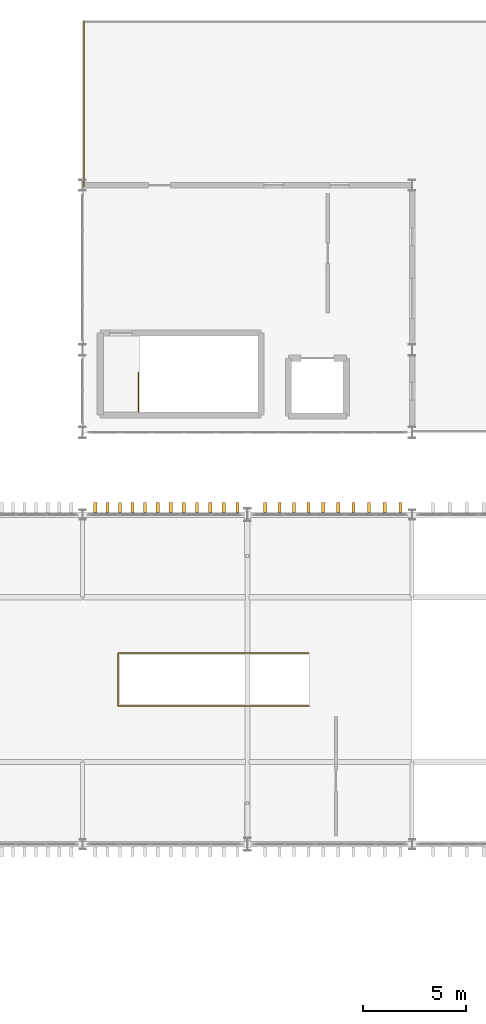
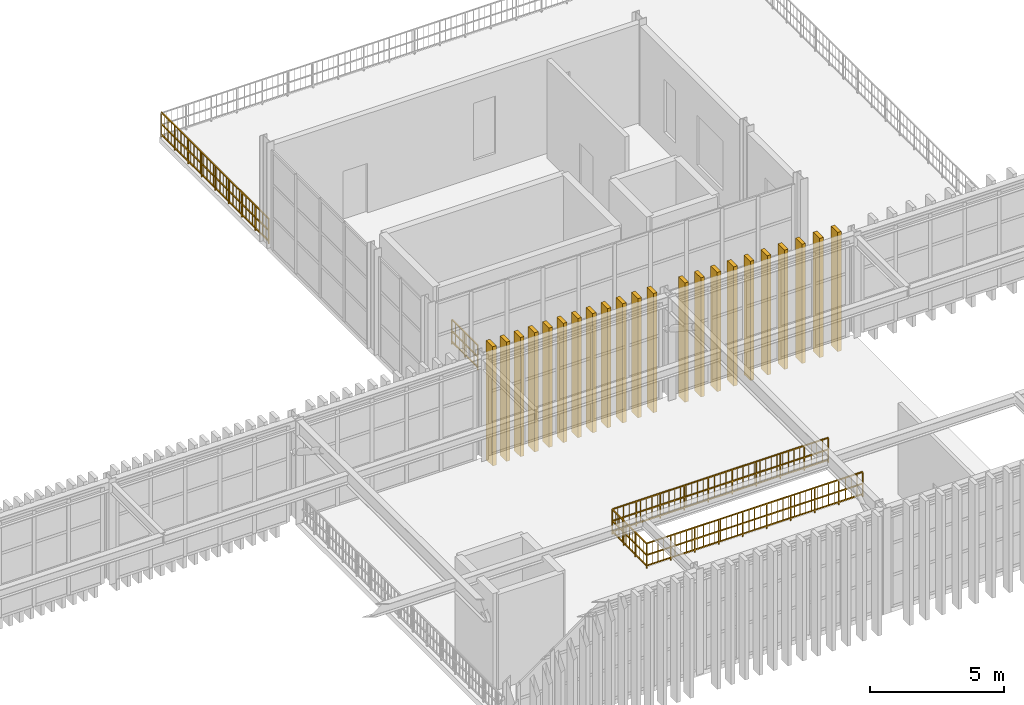
# One storey, part 58 of 61: 22 coverings, 3 railings.
"""IFC4 building model written with IfcOpenShell, lengths in metres."""

from ifc_helpers import new_model, si_unit, direction, frame, origin, origin_2d, place, context, subcontext, project, spatial, rectangle, extrude, material, layer, layer_set, type_object, element, save


model = new_model("IFC4")

# Units and contexts
model_context = context("Model", 3, precision=1e-05, world=origin(), true_north=direction((0.0, 1.0)))
body_context = subcontext(model_context, "Body", "Model", "MODEL_VIEW")
ifc_project = project(units=[si_unit("LENGTHUNIT", "METRE"), si_unit("AREAUNIT", "SQUARE_METRE"), si_unit("VOLUMEUNIT", "CUBIC_METRE"), si_unit("PLANEANGLEUNIT", "RADIAN"), si_unit("MASSUNIT", "GRAM", prefix="KILO")], contexts=[model_context])

# Site, building, storey
site_placement = place(None, origin())
site = spatial("IfcSite", under=ifc_project, at=site_placement, CompositionType="ELEMENT")
building_placement = place(site_placement, origin())
building = spatial("IfcBuilding", under=site, at=building_placement, Name="Serraluz Foothill Cableway Terminal", CompositionType="ELEMENT")
storey_placement = place(building_placement, frame((0.0, 0.0, 15.0)))
storey = spatial("IfcBuildingStorey", under=building, at=storey_placement, Name="L03", CompositionType="ELEMENT", Elevation=15.0)

# Coverings
ifc_material_1 = material(Name="Architectural bronze alloy C28000", Category="aluminium")
ifc_layer_1 = layer(ifc_material_1, 0.159912109375, Name="Architectural bronze alloy C28000", Category="aluminium")
ifc_layer_set_1 = layer_set([ifc_layer_1], Name="Architectural bronze alloy C28000")
covering_type = type_object("IfcCoveringType", Name="TYP-COV-SLAT-480", PredefinedType="CLADDING", material=ifc_layer_set_1)
for number, where, z_axis, x_axis, name in (
    (1, (80.6162109375, 72.360107421875, -0.64990234375), (0.0, 0.0, 1.0), (1.0, 0.0, 0.0), "Graduated Upper Vertical Facade Slat N-0216"),
    (2, (81.210205078125, 72.360107421875, -0.64990234375), (0.0, 0.0, 1.0), (1.0, 0.0, 0.0), "Graduated Upper Vertical Facade Slat N-0217"),
    (3, (81.81005859375, 72.360107421875, -0.64990234375), (0.0, 0.0, 1.0), (1.0, 0.0, 0.0), "Graduated Upper Vertical Facade Slat N-0218"),
    (4, (82.416259765625, 72.360107421875, -0.64990234375), (0.0, 0.0, 1.0), (1.0, 0.0, 0.0), "Graduated Upper Vertical Facade Slat N-0219"),
    (5, (83.02880859375, 72.360107421875, -0.64990234375), (0.0, 0.0, 1.0), (1.0, 0.0, 0.0), "Graduated Upper Vertical Facade Slat N-0220"),
    (6, (83.648193359375, 72.360107421875, -0.64990234375), (0.0, 0.0, 1.0), (1.0, 0.0, 0.0), "Graduated Upper Vertical Facade Slat N-0221"),
    (7, (84.2744140625, 72.360107421875, -0.64990234375), (0.0, 0.0, 1.0), (1.0, 0.0, 0.0), "Graduated Upper Vertical Facade Slat N-0222"),
    (8, (84.90771484375, 72.360107421875, -0.64990234375), (0.0, 0.0, 1.0), (1.0, 0.0, 0.0), "Graduated Upper Vertical Facade Slat N-0223"),
    (9, (85.548583984375, 72.360107421875, -0.64990234375), (0.0, 0.0, 1.0), (1.0, 0.0, 0.0), "Graduated Upper Vertical Facade Slat N-0224"),
    (10, (86.19677734375, 72.360107421875, -0.64990234375), (0.0, 0.0, 1.0), (1.0, 0.0, 0.0), "Graduated Upper Vertical Facade Slat N-0225"),
    (11, (86.852783203125, 72.360107421875, -0.64990234375), (0.0, 0.0, 1.0), (1.0, 0.0, 0.0), "Graduated Upper Vertical Facade Slat N-0226"),
    (12, (87.516845703125, 72.360107421875, -0.64990234375), (0.0, 0.0, 1.0), (1.0, 0.0, 0.0), "Graduated Upper Vertical Facade Slat N-0227"),
    (13, (88.8701171875, 72.360107421875, -0.64990234375), (0.0, 0.0, 1.0), (1.0, 0.0, 0.0), "Graduated Upper Vertical Facade Slat N-0228"),
    (14, (89.559814453125, 72.360107421875, -0.64990234375), (0.0, 0.0, 1.0), (1.0, 0.0, 0.0), "Graduated Upper Vertical Facade Slat N-0229"),
    (15, (90.2587890625, 72.360107421875, -0.64990234375), (0.0, 0.0, 1.0), (1.0, 0.0, 0.0), "Graduated Upper Vertical Facade Slat N-0230"),
    (16, (90.96728515625, 72.360107421875, -0.64990234375), (0.0, 0.0, 1.0), (1.0, 0.0, 0.0), "Graduated Upper Vertical Facade Slat N-0231"),
    (17, (91.685302734375, 72.360107421875, -0.64990234375), (0.0, 0.0, 1.0), (1.0, 0.0, 0.0), "Graduated Upper Vertical Facade Slat N-0232"),
    (18, (92.413330078125, 72.360107421875, -0.64990234375), (0.0, 0.0, 1.0), (1.0, 0.0, 0.0), "Graduated Upper Vertical Facade Slat N-0233"),
    (19, (93.15185546875, 72.360107421875, -0.64990234375), (0.0, 0.0, 1.0), (1.0, 0.0, 0.0), "Graduated Upper Vertical Facade Slat N-0234"),
    (20, (93.901123046875, 72.360107421875, -0.64990234375), (0.0, 0.0, 1.0), (1.0, 0.0, 0.0), "Graduated Upper Vertical Facade Slat N-0235"),
    (21, (94.66162109375, 72.360107421875, -0.64990234375), (0.0, 0.0, 1.0), (1.0, 0.0, 0.0), "Graduated Upper Vertical Facade Slat N-0236"),
    (22, (95.43359375, 72.360107421875, -0.64990234375), (0.0, 0.0, 1.0), (1.0, 0.0, 0.0), "Graduated Upper Vertical Facade Slat N-0237"),
):
    element("IfcCovering", number, at=place(storey_placement, frame(where, z_axis=z_axis, x_axis=x_axis)), inside=storey, type_object=covering_type, Name=name, PredefinedType="CLADDING", context=body_context, shape_type="SweptSolid", body=[
        extrude(rectangle(XDim=0.159912109375, YDim=0.47998046875, at=origin_2d()), origin(), (0.0, 0.0, 1.0), 5.419921875),
    ])

# Railings
ifc_material_2 = material(Name="Steel ASTM A572 Grade 50", Category="steel")
ifc_layer_2 = layer(ifc_material_2, 0.06005859375, Name="Steel ASTM A572 Grade 50", Category="steel")
ifc_layer_set_2 = layer_set([ifc_layer_2], Name="Steel ASTM A572 Grade 50")
railing_type_1 = type_object("IfcRailingType", Name="TYP-RL-BAL-1150", PredefinedType="BALUSTRADE", material=ifc_layer_set_2)
railing_1_placement = place(storey_placement, frame((80.07421875, 95.97021484375, 0.0)))
element("IfcRailing", 23, at=railing_1_placement, inside=storey, type_object=railing_type_1, Name="BALUSTRADE BAL-TER-L03-V4-4", PredefinedType="BALUSTRADE", context=body_context, shape_type="SweptSolid", body=[
    extrude(rectangle(XDim=0.048095703125, YDim=0.048095703125, at=origin_2d()), frame((0.0, 0.0, 1.1259765625), z_axis=(0.0, -1.0, 0.0), x_axis=(1.0, 0.0, 0.0)), (0.0, 0.0, 1.0), 8.0),
    extrude(rectangle(XDim=0.048095703125, YDim=0.048095703125, at=origin_2d()), frame((0.0, 0.0, 0.597900390625), z_axis=(0.0, -1.0, 0.0), x_axis=(1.0, 0.0, 0.0)), (0.0, 0.0, 1.0), 8.0),
    extrude(rectangle(XDim=0.048095703125, YDim=0.048095703125, at=origin_2d()), frame((0.0, 0.0, 0.1201171875), z_axis=(0.0, -1.0, 0.0), x_axis=(1.0, 0.0, 0.0)), (0.0, 0.0, 1.0), 8.0),
    extrude(rectangle(XDim=0.02001953125, YDim=0.02001953125, at=origin_2d()), frame((0.0, -0.242431640625, 0.1201171875)), (0.0, 0.0, 1.0), 0.981689453125),
    extrude(rectangle(XDim=0.02001953125, YDim=0.02001953125, at=origin_2d()), frame((0.0, -0.48486328125, 0.1201171875)), (0.0, 0.0, 1.0), 0.981689453125),
    extrude(rectangle(XDim=0.02001953125, YDim=0.02001953125, at=origin_2d()), frame((0.0, -0.727294921875, 0.1201171875)), (0.0, 0.0, 1.0), 0.981689453125),
    extrude(rectangle(XDim=0.02001953125, YDim=0.02001953125, at=origin_2d()), frame((0.0, -1.212158203125, 0.1201171875)), (0.0, 0.0, 1.0), 0.981689453125),
    extrude(rectangle(XDim=0.02001953125, YDim=0.02001953125, at=origin_2d()), frame((0.0, -1.45458984375, 0.1201171875)), (0.0, 0.0, 1.0), 0.981689453125),
    extrude(rectangle(XDim=0.02001953125, YDim=0.02001953125, at=origin_2d()), frame((0.0, -1.697021484375, 0.1201171875)), (0.0, 0.0, 1.0), 0.981689453125),
    extrude(rectangle(XDim=0.02001953125, YDim=0.02001953125, at=origin_2d()), frame((0.0, -1.939453125, 0.1201171875)), (0.0, 0.0, 1.0), 0.981689453125),
    extrude(rectangle(XDim=0.02001953125, YDim=0.02001953125, at=origin_2d()), frame((0.0, -2.181884765625, 0.1201171875)), (0.0, 0.0, 1.0), 0.981689453125),
    extrude(rectangle(XDim=0.02001953125, YDim=0.02001953125, at=origin_2d()), frame((0.0, -2.42431640625, 0.1201171875)), (0.0, 0.0, 1.0), 0.981689453125),
    extrude(rectangle(XDim=0.02001953125, YDim=0.02001953125, at=origin_2d()), frame((0.0, -2.666748046875, 0.1201171875)), (0.0, 0.0, 1.0), 0.981689453125),
    extrude(rectangle(XDim=0.02001953125, YDim=0.02001953125, at=origin_2d()), frame((0.0, -2.9091796875, 0.1201171875)), (0.0, 0.0, 1.0), 0.981689453125),
    extrude(rectangle(XDim=0.02001953125, YDim=0.02001953125, at=origin_2d()), frame((0.0, -3.151611328125, 0.1201171875)), (0.0, 0.0, 1.0), 0.981689453125),
    extrude(rectangle(XDim=0.02001953125, YDim=0.02001953125, at=origin_2d()), frame((0.0, -3.39404296875, 0.1201171875)), (0.0, 0.0, 1.0), 0.981689453125),
    extrude(rectangle(XDim=0.02001953125, YDim=0.02001953125, at=origin_2d()), frame((0.0, -3.636474609375, 0.1201171875)), (0.0, 0.0, 1.0), 0.981689453125),
    extrude(rectangle(XDim=0.02001953125, YDim=0.02001953125, at=origin_2d()), frame((0.0, -3.87890625, 0.1201171875)), (0.0, 0.0, 1.0), 0.981689453125),
    extrude(rectangle(XDim=0.02001953125, YDim=0.02001953125, at=origin_2d()), frame((0.0, -4.12109375, 0.1201171875)), (0.0, 0.0, 1.0), 0.981689453125),
    extrude(rectangle(XDim=0.02001953125, YDim=0.02001953125, at=origin_2d()), frame((0.0, -4.363525390625, 0.1201171875)), (0.0, 0.0, 1.0), 0.981689453125),
    extrude(rectangle(XDim=0.02001953125, YDim=0.02001953125, at=origin_2d()), frame((0.0, -4.60595703125, 0.1201171875)), (0.0, 0.0, 1.0), 0.981689453125),
    extrude(rectangle(XDim=0.02001953125, YDim=0.02001953125, at=origin_2d()), frame((0.0, -4.848388671875, 0.1201171875)), (0.0, 0.0, 1.0), 0.981689453125),
    extrude(rectangle(XDim=0.02001953125, YDim=0.02001953125, at=origin_2d()), frame((0.0, -5.0908203125, 0.1201171875)), (0.0, 0.0, 1.0), 0.981689453125),
    extrude(rectangle(XDim=0.02001953125, YDim=0.02001953125, at=origin_2d()), frame((0.0, -5.333251953125, 0.1201171875)), (0.0, 0.0, 1.0), 0.981689453125),
    extrude(rectangle(XDim=0.02001953125, YDim=0.02001953125, at=origin_2d()), frame((0.0, -5.57568359375, 0.1201171875)), (0.0, 0.0, 1.0), 0.981689453125),
    extrude(rectangle(XDim=0.02001953125, YDim=0.02001953125, at=origin_2d()), frame((0.0, -5.818115234375, 0.1201171875)), (0.0, 0.0, 1.0), 0.981689453125),
    extrude(rectangle(XDim=0.02001953125, YDim=0.02001953125, at=origin_2d()), frame((0.0, -6.060546875, 0.1201171875)), (0.0, 0.0, 1.0), 0.981689453125),
    extrude(rectangle(XDim=0.02001953125, YDim=0.02001953125, at=origin_2d()), frame((0.0, -6.302978515625, 0.1201171875)), (0.0, 0.0, 1.0), 0.981689453125),
    extrude(rectangle(XDim=0.02001953125, YDim=0.02001953125, at=origin_2d()), frame((0.0, -6.54541015625, 0.1201171875)), (0.0, 0.0, 1.0), 0.981689453125),
    extrude(rectangle(XDim=0.02001953125, YDim=0.02001953125, at=origin_2d()), frame((0.0, -6.787841796875, 0.1201171875)), (0.0, 0.0, 1.0), 0.981689453125),
    extrude(rectangle(XDim=0.02001953125, YDim=0.02001953125, at=origin_2d()), frame((0.0, -7.272705078125, 0.1201171875)), (0.0, 0.0, 1.0), 0.981689453125),
    extrude(rectangle(XDim=0.02001953125, YDim=0.02001953125, at=origin_2d()), frame((0.0, -7.51513671875, 0.1201171875)), (0.0, 0.0, 1.0), 0.981689453125),
    extrude(rectangle(XDim=0.02001953125, YDim=0.02001953125, at=origin_2d()), frame((0.0, -7.757568359375, 0.1201171875)), (0.0, 0.0, 1.0), 0.981689453125),
    extrude(rectangle(XDim=0.0439453125, YDim=0.0439453125, at=origin_2d()), origin(), (0.0, 0.0, 1.0), 1.101806640625),
    extrude(rectangle(XDim=0.0439453125, YDim=0.0439453125, at=origin_2d()), frame((0.0, -1.0, 0.0)), (0.0, 0.0, 1.0), 1.101806640625),
    extrude(rectangle(XDim=0.0439453125, YDim=0.0439453125, at=origin_2d()), frame((0.0, -2.0, 0.0)), (0.0, 0.0, 1.0), 1.101806640625),
    extrude(rectangle(XDim=0.0439453125, YDim=0.0439453125, at=origin_2d()), frame((0.0, -3.0, 0.0)), (0.0, 0.0, 1.0), 1.101806640625),
    extrude(rectangle(XDim=0.0439453125, YDim=0.0439453125, at=origin_2d()), frame((0.0, -4.0, 0.0)), (0.0, 0.0, 1.0), 1.101806640625),
    extrude(rectangle(XDim=0.0439453125, YDim=0.0439453125, at=origin_2d()), frame((0.0, -5.0, 0.0)), (0.0, 0.0, 1.0), 1.101806640625),
    extrude(rectangle(XDim=0.0439453125, YDim=0.0439453125, at=origin_2d()), frame((0.0, -6.0, 0.0)), (0.0, 0.0, 1.0), 1.101806640625),
    extrude(rectangle(XDim=0.0439453125, YDim=0.0439453125, at=origin_2d()), frame((0.0, -7.0, 0.0)), (0.0, 0.0, 1.0), 1.101806640625),
    extrude(rectangle(XDim=0.0439453125, YDim=0.0439453125, at=origin_2d()), frame((0.0, -8.0, 0.0)), (0.0, 0.0, 1.0), 1.101806640625),
])
ifc_layer_3 = layer(ifc_material_2, 0.054931640625, Name="Steel ASTM A572 Grade 50", Category="steel")
ifc_layer_set_3 = layer_set([ifc_layer_3], Name="Steel ASTM A572 Grade 50")
railing_type_2 = type_object("IfcRailingType", Name="TYP-RL-GRD-1150", PredefinedType="GUARDRAIL", material=ifc_layer_set_3)
railing_2_placement = place(storey_placement, frame((82.7099609375, 77.0, 0.0)))
element("IfcRailing", 24, at=railing_2_placement, inside=storey, type_object=railing_type_2, Name="L03 ST-08 top well guard 1", PredefinedType="GUARDRAIL", context=body_context, shape_type="SweptSolid", body=[
    extrude(rectangle(XDim=0.048095703125, YDim=0.048095703125, at=origin_2d()), frame((0.0, 0.0, 1.1259765625), z_axis=(0.0, 1.0, 0.0), x_axis=(-1.0, 0.0, 0.0)), (0.0, 0.0, 1.0), 1.919921875),
    extrude(rectangle(XDim=0.048095703125, YDim=0.048095703125, at=origin_2d()), frame((0.0, 0.0, 0.597900390625), z_axis=(0.0, 1.0, 0.0), x_axis=(-1.0, 0.0, 0.0)), (0.0, 0.0, 1.0), 1.919921875),
    extrude(rectangle(XDim=0.048095703125, YDim=0.048095703125, at=origin_2d()), frame((0.0, 0.0, 0.1201171875), z_axis=(0.0, 1.0, 0.0), x_axis=(-1.0, 0.0, 0.0)), (0.0, 0.0, 1.0), 1.919921875),
    extrude(rectangle(XDim=0.02001953125, YDim=0.02001953125, at=origin_2d()), frame((0.0, 0.274169921875, 0.1201171875)), (0.0, 0.0, 1.0), 0.981689453125),
    extrude(rectangle(XDim=0.02001953125, YDim=0.02001953125, at=origin_2d()), frame((0.0, 0.548583984375, 0.1201171875)), (0.0, 0.0, 1.0), 0.981689453125),
    extrude(rectangle(XDim=0.02001953125, YDim=0.02001953125, at=origin_2d()), frame((0.0, 0.82275390625, 0.1201171875)), (0.0, 0.0, 1.0), 0.981689453125),
    extrude(rectangle(XDim=0.02001953125, YDim=0.02001953125, at=origin_2d()), frame((0.0, 1.09716796875, 0.1201171875)), (0.0, 0.0, 1.0), 0.981689453125),
    extrude(rectangle(XDim=0.02001953125, YDim=0.02001953125, at=origin_2d()), frame((0.0, 1.371337890625, 0.1201171875)), (0.0, 0.0, 1.0), 0.981689453125),
    extrude(rectangle(XDim=0.02001953125, YDim=0.02001953125, at=origin_2d()), frame((0.0, 1.645751953125, 0.1201171875)), (0.0, 0.0, 1.0), 0.981689453125),
    extrude(rectangle(XDim=0.0439453125, YDim=0.0439453125, at=origin_2d()), origin(), (0.0, 0.0, 1.0), 1.101806640625),
    extrude(rectangle(XDim=0.0439453125, YDim=0.0439453125, at=origin_2d()), frame((0.0, 0.9599609375, 0.0)), (0.0, 0.0, 1.0), 1.101806640625),
    extrude(rectangle(XDim=0.0439453125, YDim=0.0439453125, at=origin_2d()), frame((0.0, 1.919921875, 0.0)), (0.0, 0.0, 1.0), 1.101806640625),
])
railing_3_placement = place(storey_placement, frame((91.0, 62.719970703125, 0.0)))
element("IfcRailing", 25, at=railing_3_placement, inside=storey, type_object=railing_type_2, Name="GUARDRAIL ST-F03 Upper Well", PredefinedType="GUARDRAIL", context=body_context, shape_type="SweptSolid", body=[
    extrude(rectangle(XDim=0.048095703125, YDim=0.048095703125, at=origin_2d()), frame((0.0, 0.0, 1.1259765625), z_axis=(-1.0, 0.0, 0.0), x_axis=(0.0, -1.0, 0.0)), (0.0, 0.0, 1.0), 9.280029296875),
    extrude(rectangle(XDim=0.048095703125, YDim=0.048095703125, at=origin_2d()), frame((0.0, 0.0, 0.597900390625), z_axis=(-1.0, 0.0, 0.0), x_axis=(0.0, -1.0, 0.0)), (0.0, 0.0, 1.0), 9.280029296875),
    extrude(rectangle(XDim=0.048095703125, YDim=0.048095703125, at=origin_2d()), frame((0.0, 0.0, 0.1201171875), z_axis=(-1.0, 0.0, 0.0), x_axis=(0.0, -1.0, 0.0)), (0.0, 0.0, 1.0), 9.280029296875),
    extrude(rectangle(XDim=0.02001953125, YDim=0.02001953125, at=origin_2d()), frame((-0.244140625, 0.0, 0.1201171875)), (0.0, 0.0, 1.0), 0.981689453125),
    extrude(rectangle(XDim=0.02001953125, YDim=0.02001953125, at=origin_2d()), frame((-0.488525390625, 0.0, 0.1201171875)), (0.0, 0.0, 1.0), 0.981689453125),
    extrude(rectangle(XDim=0.02001953125, YDim=0.02001953125, at=origin_2d()), frame((-0.732666015625, 0.0, 0.1201171875)), (0.0, 0.0, 1.0), 0.981689453125),
    extrude(rectangle(XDim=0.02001953125, YDim=0.02001953125, at=origin_2d()), frame((-1.220947265625, 0.0, 0.1201171875)), (0.0, 0.0, 1.0), 0.981689453125),
    extrude(rectangle(XDim=0.02001953125, YDim=0.02001953125, at=origin_2d()), frame((-1.46533203125, 0.0, 0.1201171875)), (0.0, 0.0, 1.0), 0.981689453125),
    extrude(rectangle(XDim=0.02001953125, YDim=0.02001953125, at=origin_2d()), frame((-1.70947265625, 0.0, 0.1201171875)), (0.0, 0.0, 1.0), 0.981689453125),
    extrude(rectangle(XDim=0.02001953125, YDim=0.02001953125, at=origin_2d()), frame((-1.95361328125, 0.0, 0.1201171875)), (0.0, 0.0, 1.0), 0.981689453125),
    extrude(rectangle(XDim=0.02001953125, YDim=0.02001953125, at=origin_2d()), frame((-2.197998046875, 0.0, 0.1201171875)), (0.0, 0.0, 1.0), 0.981689453125),
    extrude(rectangle(XDim=0.02001953125, YDim=0.02001953125, at=origin_2d()), frame((-2.442138671875, 0.0, 0.1201171875)), (0.0, 0.0, 1.0), 0.981689453125),
    extrude(rectangle(XDim=0.02001953125, YDim=0.02001953125, at=origin_2d()), frame((-2.686279296875, 0.0, 0.1201171875)), (0.0, 0.0, 1.0), 0.981689453125),
    extrude(rectangle(XDim=0.02001953125, YDim=0.02001953125, at=origin_2d()), frame((-2.930419921875, 0.0, 0.1201171875)), (0.0, 0.0, 1.0), 0.981689453125),
    extrude(rectangle(XDim=0.02001953125, YDim=0.02001953125, at=origin_2d()), frame((-3.1748046875, 0.0, 0.1201171875)), (0.0, 0.0, 1.0), 0.981689453125),
    extrude(rectangle(XDim=0.02001953125, YDim=0.02001953125, at=origin_2d()), frame((-3.4189453125, 0.0, 0.1201171875)), (0.0, 0.0, 1.0), 0.981689453125),
    extrude(rectangle(XDim=0.02001953125, YDim=0.02001953125, at=origin_2d()), frame((-3.6630859375, 0.0, 0.1201171875)), (0.0, 0.0, 1.0), 0.981689453125),
    extrude(rectangle(XDim=0.02001953125, YDim=0.02001953125, at=origin_2d()), frame((-3.907470703125, 0.0, 0.1201171875)), (0.0, 0.0, 1.0), 0.981689453125),
    extrude(rectangle(XDim=0.02001953125, YDim=0.02001953125, at=origin_2d()), frame((-4.395751953125, 0.0, 0.1201171875)), (0.0, 0.0, 1.0), 0.981689453125),
    extrude(rectangle(XDim=0.02001953125, YDim=0.02001953125, at=origin_2d()), frame((-4.64013671875, 0.0, 0.1201171875)), (0.0, 0.0, 1.0), 0.981689453125),
    extrude(rectangle(XDim=0.02001953125, YDim=0.02001953125, at=origin_2d()), frame((-4.88427734375, 0.0, 0.1201171875)), (0.0, 0.0, 1.0), 0.981689453125),
    extrude(rectangle(XDim=0.02001953125, YDim=0.02001953125, at=origin_2d()), frame((-5.37255859375, 0.0, 0.1201171875)), (0.0, 0.0, 1.0), 0.981689453125),
    extrude(rectangle(XDim=0.02001953125, YDim=0.02001953125, at=origin_2d()), frame((-5.616943359375, 0.0, 0.1201171875)), (0.0, 0.0, 1.0), 0.981689453125),
    extrude(rectangle(XDim=0.02001953125, YDim=0.02001953125, at=origin_2d()), frame((-5.861083984375, 0.0, 0.1201171875)), (0.0, 0.0, 1.0), 0.981689453125),
    extrude(rectangle(XDim=0.02001953125, YDim=0.02001953125, at=origin_2d()), frame((-6.105224609375, 0.0, 0.1201171875)), (0.0, 0.0, 1.0), 0.981689453125),
    extrude(rectangle(XDim=0.02001953125, YDim=0.02001953125, at=origin_2d()), frame((-6.349609375, 0.0, 0.1201171875)), (0.0, 0.0, 1.0), 0.981689453125),
    extrude(rectangle(XDim=0.02001953125, YDim=0.02001953125, at=origin_2d()), frame((-6.59375, 0.0, 0.1201171875)), (0.0, 0.0, 1.0), 0.981689453125),
    extrude(rectangle(XDim=0.02001953125, YDim=0.02001953125, at=origin_2d()), frame((-6.837890625, 0.0, 0.1201171875)), (0.0, 0.0, 1.0), 0.981689453125),
    extrude(rectangle(XDim=0.02001953125, YDim=0.02001953125, at=origin_2d()), frame((-7.08203125, 0.0, 0.1201171875)), (0.0, 0.0, 1.0), 0.981689453125),
    extrude(rectangle(XDim=0.02001953125, YDim=0.02001953125, at=origin_2d()), frame((-7.326416015625, 0.0, 0.1201171875)), (0.0, 0.0, 1.0), 0.981689453125),
    extrude(rectangle(XDim=0.02001953125, YDim=0.02001953125, at=origin_2d()), frame((-7.570556640625, 0.0, 0.1201171875)), (0.0, 0.0, 1.0), 0.981689453125),
    extrude(rectangle(XDim=0.02001953125, YDim=0.02001953125, at=origin_2d()), frame((-7.814697265625, 0.0, 0.1201171875)), (0.0, 0.0, 1.0), 0.981689453125),
    extrude(rectangle(XDim=0.02001953125, YDim=0.02001953125, at=origin_2d()), frame((-8.05908203125, 0.0, 0.1201171875)), (0.0, 0.0, 1.0), 0.981689453125),
    extrude(rectangle(XDim=0.02001953125, YDim=0.02001953125, at=origin_2d()), frame((-8.54736328125, 0.0, 0.1201171875)), (0.0, 0.0, 1.0), 0.981689453125),
    extrude(rectangle(XDim=0.02001953125, YDim=0.02001953125, at=origin_2d()), frame((-8.79150390625, 0.0, 0.1201171875)), (0.0, 0.0, 1.0), 0.981689453125),
    extrude(rectangle(XDim=0.02001953125, YDim=0.02001953125, at=origin_2d()), frame((-9.035888671875, 0.0, 0.1201171875)), (0.0, 0.0, 1.0), 0.981689453125),
    extrude(rectangle(XDim=0.048095703125, YDim=0.048095703125, at=origin_2d()), frame((-9.280029296875, 0.0, 1.1259765625), z_axis=(0.0, 1.0, 0.0), x_axis=(-1.0, 0.0, 0.0)), (0.0, 0.0, 1.0), 2.56005859375),
    extrude(rectangle(XDim=0.048095703125, YDim=0.048095703125, at=origin_2d()), frame((-9.280029296875, 0.0, 0.597900390625), z_axis=(0.0, 1.0, 0.0), x_axis=(-1.0, 0.0, 0.0)), (0.0, 0.0, 1.0), 2.56005859375),
    extrude(rectangle(XDim=0.048095703125, YDim=0.048095703125, at=origin_2d()), frame((-9.280029296875, 0.0, 0.1201171875), z_axis=(0.0, 1.0, 0.0), x_axis=(-1.0, 0.0, 0.0)), (0.0, 0.0, 1.0), 2.56005859375),
    extrude(rectangle(XDim=0.02001953125, YDim=0.02001953125, at=origin_2d()), frame((-9.280029296875, 0.256103515625, 0.1201171875)), (0.0, 0.0, 1.0), 0.981689453125),
    extrude(rectangle(XDim=0.02001953125, YDim=0.02001953125, at=origin_2d()), frame((-9.280029296875, 0.511962890625, 0.1201171875)), (0.0, 0.0, 1.0), 0.981689453125),
    extrude(rectangle(XDim=0.02001953125, YDim=0.02001953125, at=origin_2d()), frame((-9.280029296875, 0.76806640625, 0.1201171875)), (0.0, 0.0, 1.0), 0.981689453125),
    extrude(rectangle(XDim=0.02001953125, YDim=0.02001953125, at=origin_2d()), frame((-9.280029296875, 1.02392578125, 0.1201171875)), (0.0, 0.0, 1.0), 0.981689453125),
    extrude(rectangle(XDim=0.02001953125, YDim=0.02001953125, at=origin_2d()), frame((-9.280029296875, 1.280029296875, 0.1201171875)), (0.0, 0.0, 1.0), 0.981689453125),
    extrude(rectangle(XDim=0.02001953125, YDim=0.02001953125, at=origin_2d()), frame((-9.280029296875, 1.5361328125, 0.1201171875)), (0.0, 0.0, 1.0), 0.981689453125),
    extrude(rectangle(XDim=0.02001953125, YDim=0.02001953125, at=origin_2d()), frame((-9.280029296875, 1.7919921875, 0.1201171875)), (0.0, 0.0, 1.0), 0.981689453125),
    extrude(rectangle(XDim=0.02001953125, YDim=0.02001953125, at=origin_2d()), frame((-9.280029296875, 2.048095703125, 0.1201171875)), (0.0, 0.0, 1.0), 0.981689453125),
    extrude(rectangle(XDim=0.02001953125, YDim=0.02001953125, at=origin_2d()), frame((-9.280029296875, 2.303955078125, 0.1201171875)), (0.0, 0.0, 1.0), 0.981689453125),
    extrude(rectangle(XDim=0.048095703125, YDim=0.048095703125, at=origin_2d()), frame((-9.280029296875, 2.56005859375, 1.1259765625), z_axis=(1.0, 0.0, 0.0), x_axis=(0.0, 1.0, 0.0)), (0.0, 0.0, 1.0), 9.280029296875),
    extrude(rectangle(XDim=0.048095703125, YDim=0.048095703125, at=origin_2d()), frame((-9.280029296875, 2.56005859375, 0.597900390625), z_axis=(1.0, 0.0, 0.0), x_axis=(0.0, 1.0, 0.0)), (0.0, 0.0, 1.0), 9.280029296875),
    extrude(rectangle(XDim=0.048095703125, YDim=0.048095703125, at=origin_2d()), frame((-9.280029296875, 2.56005859375, 0.1201171875), z_axis=(1.0, 0.0, 0.0), x_axis=(0.0, 1.0, 0.0)), (0.0, 0.0, 1.0), 9.280029296875),
    extrude(rectangle(XDim=0.02001953125, YDim=0.02001953125, at=origin_2d()), frame((-9.035888671875, 2.56005859375, 0.1201171875)), (0.0, 0.0, 1.0), 0.981689453125),
    extrude(rectangle(XDim=0.02001953125, YDim=0.02001953125, at=origin_2d()), frame((-8.79150390625, 2.56005859375, 0.1201171875)), (0.0, 0.0, 1.0), 0.981689453125),
    extrude(rectangle(XDim=0.02001953125, YDim=0.02001953125, at=origin_2d()), frame((-8.54736328125, 2.56005859375, 0.1201171875)), (0.0, 0.0, 1.0), 0.981689453125),
    extrude(rectangle(XDim=0.02001953125, YDim=0.02001953125, at=origin_2d()), frame((-8.05908203125, 2.56005859375, 0.1201171875)), (0.0, 0.0, 1.0), 0.981689453125),
    extrude(rectangle(XDim=0.02001953125, YDim=0.02001953125, at=origin_2d()), frame((-7.814697265625, 2.56005859375, 0.1201171875)), (0.0, 0.0, 1.0), 0.981689453125),
    extrude(rectangle(XDim=0.02001953125, YDim=0.02001953125, at=origin_2d()), frame((-7.570556640625, 2.56005859375, 0.1201171875)), (0.0, 0.0, 1.0), 0.981689453125),
    extrude(rectangle(XDim=0.02001953125, YDim=0.02001953125, at=origin_2d()), frame((-7.326416015625, 2.56005859375, 0.1201171875)), (0.0, 0.0, 1.0), 0.981689453125),
    extrude(rectangle(XDim=0.02001953125, YDim=0.02001953125, at=origin_2d()), frame((-7.08203125, 2.56005859375, 0.1201171875)), (0.0, 0.0, 1.0), 0.981689453125),
    extrude(rectangle(XDim=0.02001953125, YDim=0.02001953125, at=origin_2d()), frame((-6.837890625, 2.56005859375, 0.1201171875)), (0.0, 0.0, 1.0), 0.981689453125),
    extrude(rectangle(XDim=0.02001953125, YDim=0.02001953125, at=origin_2d()), frame((-6.59375, 2.56005859375, 0.1201171875)), (0.0, 0.0, 1.0), 0.981689453125),
    extrude(rectangle(XDim=0.02001953125, YDim=0.02001953125, at=origin_2d()), frame((-6.349609375, 2.56005859375, 0.1201171875)), (0.0, 0.0, 1.0), 0.981689453125),
    extrude(rectangle(XDim=0.02001953125, YDim=0.02001953125, at=origin_2d()), frame((-6.105224609375, 2.56005859375, 0.1201171875)), (0.0, 0.0, 1.0), 0.981689453125),
    extrude(rectangle(XDim=0.02001953125, YDim=0.02001953125, at=origin_2d()), frame((-5.861083984375, 2.56005859375, 0.1201171875)), (0.0, 0.0, 1.0), 0.981689453125),
    extrude(rectangle(XDim=0.02001953125, YDim=0.02001953125, at=origin_2d()), frame((-5.616943359375, 2.56005859375, 0.1201171875)), (0.0, 0.0, 1.0), 0.981689453125),
    extrude(rectangle(XDim=0.02001953125, YDim=0.02001953125, at=origin_2d()), frame((-5.37255859375, 2.56005859375, 0.1201171875)), (0.0, 0.0, 1.0), 0.981689453125),
    extrude(rectangle(XDim=0.02001953125, YDim=0.02001953125, at=origin_2d()), frame((-4.88427734375, 2.56005859375, 0.1201171875)), (0.0, 0.0, 1.0), 0.981689453125),
    extrude(rectangle(XDim=0.02001953125, YDim=0.02001953125, at=origin_2d()), frame((-4.64013671875, 2.56005859375, 0.1201171875)), (0.0, 0.0, 1.0), 0.981689453125),
    extrude(rectangle(XDim=0.02001953125, YDim=0.02001953125, at=origin_2d()), frame((-4.395751953125, 2.56005859375, 0.1201171875)), (0.0, 0.0, 1.0), 0.981689453125),
    extrude(rectangle(XDim=0.02001953125, YDim=0.02001953125, at=origin_2d()), frame((-3.907470703125, 2.56005859375, 0.1201171875)), (0.0, 0.0, 1.0), 0.981689453125),
    extrude(rectangle(XDim=0.02001953125, YDim=0.02001953125, at=origin_2d()), frame((-3.6630859375, 2.56005859375, 0.1201171875)), (0.0, 0.0, 1.0), 0.981689453125),
    extrude(rectangle(XDim=0.02001953125, YDim=0.02001953125, at=origin_2d()), frame((-3.4189453125, 2.56005859375, 0.1201171875)), (0.0, 0.0, 1.0), 0.981689453125),
    extrude(rectangle(XDim=0.02001953125, YDim=0.02001953125, at=origin_2d()), frame((-3.1748046875, 2.56005859375, 0.1201171875)), (0.0, 0.0, 1.0), 0.981689453125),
    extrude(rectangle(XDim=0.02001953125, YDim=0.02001953125, at=origin_2d()), frame((-2.930419921875, 2.56005859375, 0.1201171875)), (0.0, 0.0, 1.0), 0.981689453125),
    extrude(rectangle(XDim=0.02001953125, YDim=0.02001953125, at=origin_2d()), frame((-2.686279296875, 2.56005859375, 0.1201171875)), (0.0, 0.0, 1.0), 0.981689453125),
    extrude(rectangle(XDim=0.02001953125, YDim=0.02001953125, at=origin_2d()), frame((-2.442138671875, 2.56005859375, 0.1201171875)), (0.0, 0.0, 1.0), 0.981689453125),
    extrude(rectangle(XDim=0.02001953125, YDim=0.02001953125, at=origin_2d()), frame((-2.197998046875, 2.56005859375, 0.1201171875)), (0.0, 0.0, 1.0), 0.981689453125),
    extrude(rectangle(XDim=0.02001953125, YDim=0.02001953125, at=origin_2d()), frame((-1.95361328125, 2.56005859375, 0.1201171875)), (0.0, 0.0, 1.0), 0.981689453125),
    extrude(rectangle(XDim=0.02001953125, YDim=0.02001953125, at=origin_2d()), frame((-1.70947265625, 2.56005859375, 0.1201171875)), (0.0, 0.0, 1.0), 0.981689453125),
    extrude(rectangle(XDim=0.02001953125, YDim=0.02001953125, at=origin_2d()), frame((-1.46533203125, 2.56005859375, 0.1201171875)), (0.0, 0.0, 1.0), 0.981689453125),
    extrude(rectangle(XDim=0.02001953125, YDim=0.02001953125, at=origin_2d()), frame((-1.220947265625, 2.56005859375, 0.1201171875)), (0.0, 0.0, 1.0), 0.981689453125),
    extrude(rectangle(XDim=0.02001953125, YDim=0.02001953125, at=origin_2d()), frame((-0.732666015625, 2.56005859375, 0.1201171875)), (0.0, 0.0, 1.0), 0.981689453125),
    extrude(rectangle(XDim=0.02001953125, YDim=0.02001953125, at=origin_2d()), frame((-0.488525390625, 2.56005859375, 0.1201171875)), (0.0, 0.0, 1.0), 0.981689453125),
    extrude(rectangle(XDim=0.02001953125, YDim=0.02001953125, at=origin_2d()), frame((-0.244140625, 2.56005859375, 0.1201171875)), (0.0, 0.0, 1.0), 0.981689453125),
    extrude(rectangle(XDim=0.0439453125, YDim=0.0439453125, at=origin_2d()), origin(), (0.0, 0.0, 1.0), 1.101806640625),
    extrude(rectangle(XDim=0.0439453125, YDim=0.0439453125, at=origin_2d()), frame((-1.031005859375, 0.0, 0.0)), (0.0, 0.0, 1.0), 1.101806640625),
    extrude(rectangle(XDim=0.0439453125, YDim=0.0439453125, at=origin_2d()), frame((-2.062255859375, 0.0, 0.0)), (0.0, 0.0, 1.0), 1.101806640625),
    extrude(rectangle(XDim=0.0439453125, YDim=0.0439453125, at=origin_2d()), frame((-3.09326171875, 0.0, 0.0)), (0.0, 0.0, 1.0), 1.101806640625),
    extrude(rectangle(XDim=0.0439453125, YDim=0.0439453125, at=origin_2d()), frame((-4.12451171875, 0.0, 0.0)), (0.0, 0.0, 1.0), 1.101806640625),
    extrude(rectangle(XDim=0.0439453125, YDim=0.0439453125, at=origin_2d()), frame((-5.155517578125, 0.0, 0.0)), (0.0, 0.0, 1.0), 1.101806640625),
    extrude(rectangle(XDim=0.0439453125, YDim=0.0439453125, at=origin_2d()), frame((-6.186767578125, 0.0, 0.0)), (0.0, 0.0, 1.0), 1.101806640625),
    extrude(rectangle(XDim=0.0439453125, YDim=0.0439453125, at=origin_2d()), frame((-7.2177734375, 0.0, 0.0)), (0.0, 0.0, 1.0), 1.101806640625),
    extrude(rectangle(XDim=0.0439453125, YDim=0.0439453125, at=origin_2d()), frame((-8.2490234375, 0.0, 0.0)), (0.0, 0.0, 1.0), 1.101806640625),
    extrude(rectangle(XDim=0.0439453125, YDim=0.0439453125, at=origin_2d()), frame((-9.280029296875, 0.0, 0.0)), (0.0, 0.0, 1.0), 1.101806640625),
    extrude(rectangle(XDim=0.0439453125, YDim=0.0439453125, at=origin_2d()), frame((-9.280029296875, 0.853271484375, 0.0)), (0.0, 0.0, 1.0), 1.101806640625),
    extrude(rectangle(XDim=0.0439453125, YDim=0.0439453125, at=origin_2d()), frame((-9.280029296875, 1.706787109375, 0.0)), (0.0, 0.0, 1.0), 1.101806640625),
    extrude(rectangle(XDim=0.0439453125, YDim=0.0439453125, at=origin_2d()), frame((-9.280029296875, 2.56005859375, 0.0)), (0.0, 0.0, 1.0), 1.101806640625),
    extrude(rectangle(XDim=0.0439453125, YDim=0.0439453125, at=origin_2d()), frame((-8.2490234375, 2.56005859375, 0.0)), (0.0, 0.0, 1.0), 1.101806640625),
    extrude(rectangle(XDim=0.0439453125, YDim=0.0439453125, at=origin_2d()), frame((-7.2177734375, 2.56005859375, 0.0)), (0.0, 0.0, 1.0), 1.101806640625),
    extrude(rectangle(XDim=0.0439453125, YDim=0.0439453125, at=origin_2d()), frame((-6.186767578125, 2.56005859375, 0.0)), (0.0, 0.0, 1.0), 1.101806640625),
    extrude(rectangle(XDim=0.0439453125, YDim=0.0439453125, at=origin_2d()), frame((-5.155517578125, 2.56005859375, 0.0)), (0.0, 0.0, 1.0), 1.101806640625),
    extrude(rectangle(XDim=0.0439453125, YDim=0.0439453125, at=origin_2d()), frame((-4.12451171875, 2.56005859375, 0.0)), (0.0, 0.0, 1.0), 1.101806640625),
    extrude(rectangle(XDim=0.0439453125, YDim=0.0439453125, at=origin_2d()), frame((-3.09326171875, 2.56005859375, 0.0)), (0.0, 0.0, 1.0), 1.101806640625),
    extrude(rectangle(XDim=0.0439453125, YDim=0.0439453125, at=origin_2d()), frame((-2.062255859375, 2.56005859375, 0.0)), (0.0, 0.0, 1.0), 1.101806640625),
    extrude(rectangle(XDim=0.0439453125, YDim=0.0439453125, at=origin_2d()), frame((-1.031005859375, 2.56005859375, 0.0)), (0.0, 0.0, 1.0), 1.101806640625),
    extrude(rectangle(XDim=0.0439453125, YDim=0.0439453125, at=origin_2d()), frame((0.0, 2.56005859375, 0.0)), (0.0, 0.0, 1.0), 1.101806640625),
])

save(model, "model.ifc")
